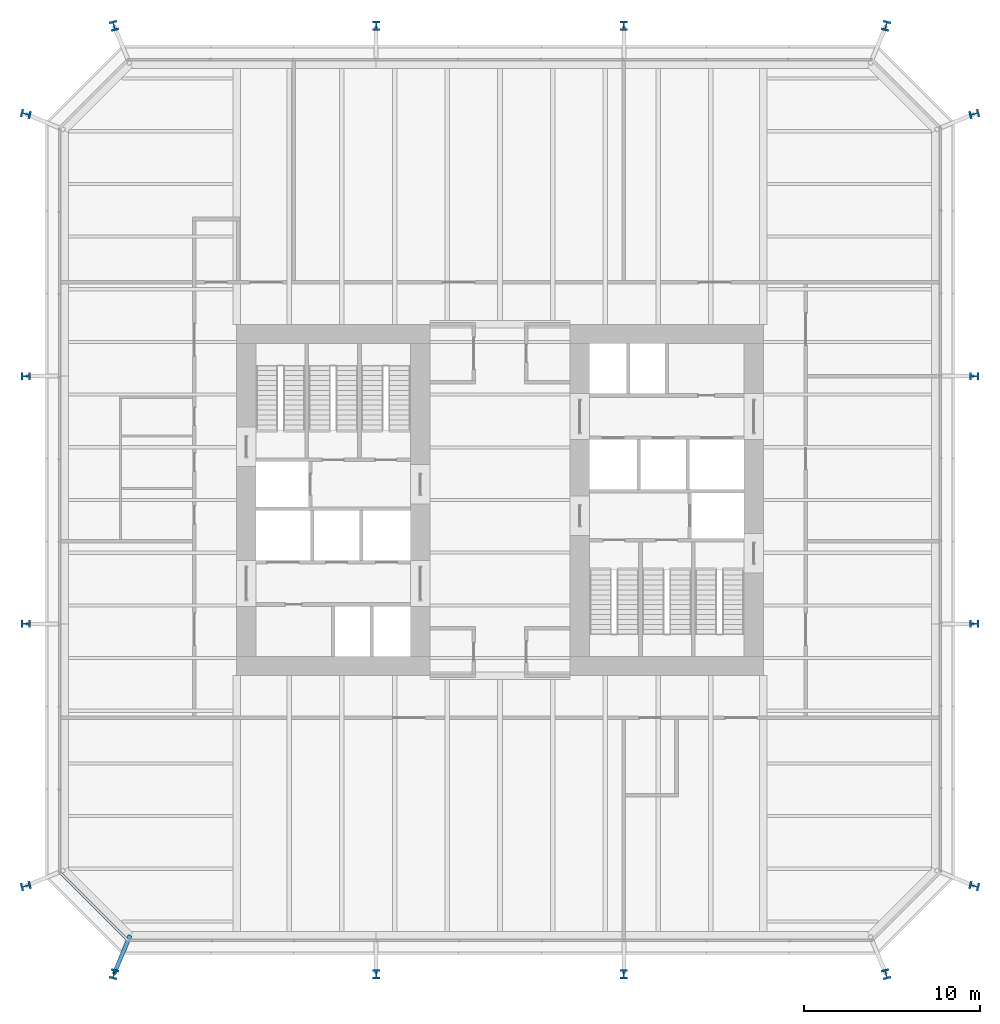
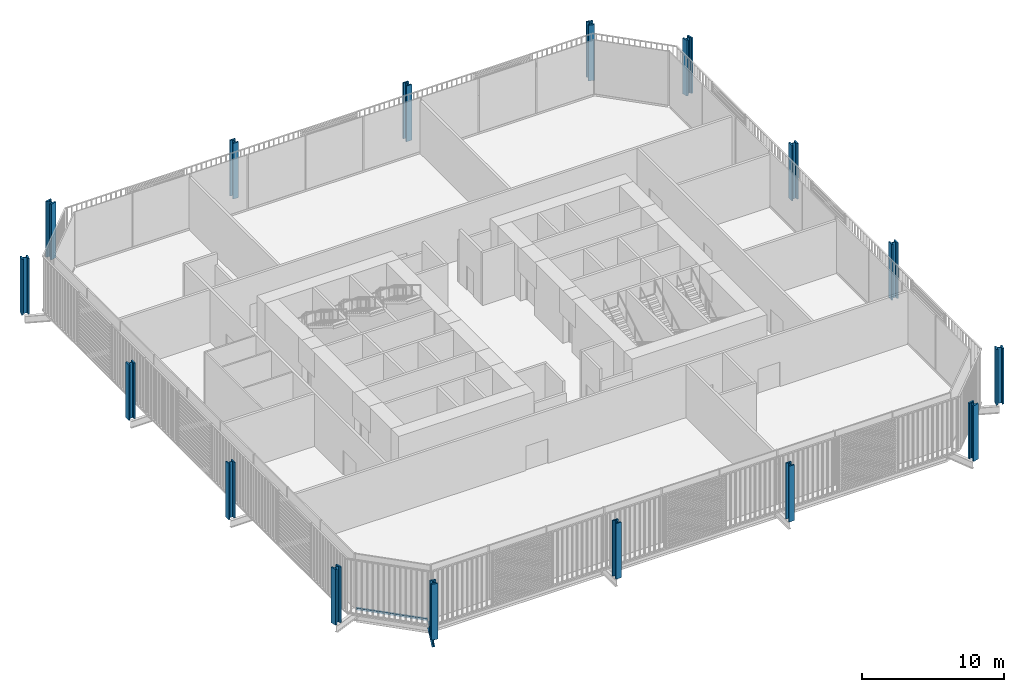
# One storey, part 1 of 22: 16 columns, 1 beam, 1 member, 1 element without a shape of its own.
"""IFC4 building model written with IfcOpenShell, lengths in metres."""

from ifc_helpers import new_model, si_unit, direction, frame, origin, origin_2d, place, context, subcontext, project, spatial, rectangle, i_section, extrude, material, layer, layer_set, material_profile, profile_set, type_object, element, aggregate, save


model = new_model("IFC4")

# Units and contexts
model_context = context("Model", 3, precision=1e-05, world=origin(), true_north=direction((0.0, 1.0)))
body_context = subcontext(model_context, "Body", "Model", "MODEL_VIEW")
ifc_project = project(units=[si_unit("LENGTHUNIT", "METRE"), si_unit("AREAUNIT", "SQUARE_METRE"), si_unit("VOLUMEUNIT", "CUBIC_METRE"), si_unit("PLANEANGLEUNIT", "RADIAN"), si_unit("MASSUNIT", "GRAM", prefix="KILO")], contexts=[model_context])

# Site, building, storey
site_placement = place(None, origin())
site = spatial("IfcSite", under=ifc_project, at=site_placement, CompositionType="ELEMENT")
building_placement = place(site_placement, origin())
building = spatial("IfcBuilding", under=site, at=building_placement, Name="Millrace Tower", CompositionType="ELEMENT")
storey_placement = place(building_placement, frame((0.0, 0.0, 59.300048828125)))
storey = spatial("IfcBuildingStorey", under=building, at=storey_placement, Name="L13", CompositionType="ELEMENT", Elevation=59.300048828125)

# Columns
ifc_material_1 = material(Name="Steel ASTM A913 Grade 65", Category="steel")
ifc_material_profile_1 = material_profile(ifc_material_1, i_section(OverallWidth=0.44189453125, OverallDepth=0.53076171875, WebThickness=0.06591796875, FlangeThickness=0.105712890625, FilletRadius=0.01513671875, at=origin_2d()))
ifc_profile_set_1 = profile_set([ifc_material_profile_1], Name="Steel ASTM A913 Grade 65")
column_type_1 = type_object("IfcColumnType", Name="Exoskeleton column W14x605", PredefinedType="COLUMN", material=ifc_profile_set_1)
for number, where, z_axis, x_axis, name in (
    (1, (-7.050048828125, -27.0, 0.0), (0.0, 0.0, 1.0), (1.0, 0.0, 0.0), "COL-A-L13-X03"),
    (2, (7.050048828125, -27.0, 0.0), (0.0, 0.0, 1.0), (1.0, 0.0, 0.0), "COL-A-L13-X04"),
    (3, (27.0, -7.050048828125, 0.0), (0.0, 0.0, 1.0), (0.0, 1.0, 0.0), "COL-A-L13-X07"),
    (4, (27.0, 7.050048828125, 0.0), (0.0, 0.0, 1.0), (0.0, 1.0, 0.0), "COL-A-L13-X08"),
    (5, (7.050048828125, 27.0, 0.0), (0.0, 0.0, 1.0), (-1.0, 0.0, 0.0), "COL-A-L13-X11"),
    (6, (-7.050048828125, 27.0, 0.0), (0.0, 0.0, 1.0), (-1.0, 0.0, 0.0), "COL-A-L13-X12"),
    (7, (-27.0, 7.050048828125, 0.0), (0.0, 0.0, 1.0), (0.0, -1.0, 0.0), "COL-A-L13-X15"),
    (8, (-27.0, -7.050048828125, 0.0), (0.0, 0.0, 1.0), (0.0, -1.0, 0.0), "COL-A-L13-X16"),
):
    element("IfcColumn", number, at=place(storey_placement, frame(where, z_axis=z_axis, x_axis=x_axis)), inside=storey, type_object=column_type_1, Name=name, PredefinedType="COLUMN", context=body_context, shape_type="SweptSolid", body=[
        extrude(i_section(OverallWidth=0.44189453125, OverallDepth=0.53076171875, WebThickness=0.06591796875, FlangeThickness=0.105712890625, FilletRadius=0.01513671875, at=origin_2d()), origin(), (0.0, 0.0, 1.0), 4.800048828125),
    ])
ifc_material_2 = material(Name="Steel ASTM A913 Grade 65", Category="steel")
ifc_material_profile_2 = material_profile(ifc_material_2, i_section(OverallWidth=0.45458984375, OverallDepth=0.56884765625, WebThickness=0.077880859375, FlangeThickness=0.124755859375, FilletRadius=0.01513671875, at=origin_2d()))
ifc_profile_set_2 = profile_set([ifc_material_profile_2], Name="Steel ASTM A913 Grade 65")
column_type_2 = type_object("IfcColumnType", Name="Exoskeleton column W14x730", PredefinedType="COLUMN", material=ifc_profile_set_2)
for number, where, z_axis, x_axis, name in (
    (9, (-27.0, -21.978515625, 0.0), (0.0, 0.0, 1.0), (0.244094142872, -0.969751540043, 0.0), "COL-A-L13-X01"),
    (10, (-21.978515625, -27.0, 0.0), (0.0, 0.0, 1.0), (0.969751540043, -0.244094142872, 0.0), "COL-A-L13-X02"),
    (11, (21.978515625, -27.0, 0.0), (0.0, 0.0, 1.0), (0.969751540043, 0.244094142872, 0.0), "COL-A-L13-X05"),
    (12, (27.0, -21.978515625, 0.0), (0.0, 0.0, 1.0), (0.244094142872, 0.969751540043, 0.0), "COL-A-L13-X06"),
    (13, (27.0, 21.978515625, 0.0), (0.0, 0.0, 1.0), (-0.244094142872, 0.969751540043, 0.0), "COL-A-L13-X09"),
    (14, (21.978515625, 27.0, 0.0), (0.0, 0.0, 1.0), (-0.969751540043, 0.244094142872, 0.0), "COL-A-L13-X10"),
    (15, (-21.978515625, 27.0, 0.0), (0.0, 0.0, 1.0), (-0.969751540043, -0.244094142872, 0.0), "COL-A-L13-X13"),
    (16, (-27.0, 21.978515625, 0.0), (0.0, 0.0, 1.0), (-0.244094142872, -0.969751540043, 0.0), "COL-A-L13-X14"),
):
    element("IfcColumn", number, at=place(storey_placement, frame(where, z_axis=z_axis, x_axis=x_axis)), inside=storey, type_object=column_type_2, Name=name, PredefinedType="COLUMN", context=body_context, shape_type="SweptSolid", body=[
        extrude(i_section(OverallWidth=0.45458984375, OverallDepth=0.56884765625, WebThickness=0.077880859375, FlangeThickness=0.124755859375, FilletRadius=0.01513671875, at=origin_2d()), origin(), (0.0, 0.0, 1.0), 4.800048828125),
    ])

# Curtain wall, member
ifc_material_3 = material(Name="Aluminium and glass", Category="aluminium")
ifc_layer = layer(ifc_material_3, 0.14990234375)
ifc_layer_set = layer_set([ifc_layer], Name="Aluminium and glass")
curtain_wall_type = type_object("IfcCurtainWallType", Name="CW-2 data hall insulated curtain wall", PredefinedType="NOTDEFINED", material=ifc_layer_set)
curtain_wall_placement = place(storey_placement, origin())
curtain_wall = element("IfcCurtainWall", 17, at=curtain_wall_placement, inside=storey, type_object=curtain_wall_type, Name="Curtain wall A-F01 L13", PredefinedType="NOTDEFINED")
ifc_material_4 = material(Name="Aluminium", Category="aluminium")
ifc_material_profile_3 = material_profile(ifc_material_4, rectangle(XDim=0.14990234375, YDim=0.159912109375, at=origin_2d()))
ifc_profile_set_3 = profile_set([ifc_material_profile_3], Name="Aluminium")
member_type = type_object("IfcMemberType", Name="CW-2 data hall insulated curtain wall transom", PredefinedType="USERDEFINED", material=ifc_profile_set_3)
member_placement = place(storey_placement, frame((-24.982421875, -21.273681640625, 0.079833984375), z_axis=(0.707106781187, -0.707106781187, 0.0), x_axis=(0.707106781187, 0.707106781187, 0.0)))
member = element("IfcMember", 18, at=member_placement, type_object=member_type, Name="CW2 transom A-F01.1", ObjectType="TRANSOM", PredefinedType="USERDEFINED", context=body_context, shape_type="SweptSolid", body=[
    extrude(rectangle(XDim=0.14990234375, YDim=0.159912109375, at=origin_2d()), origin(), (0.0, 0.0, 1.0), 5.244873046875),
])
aggregate(curtain_wall, [member])

# Beam
ifc_material_5 = material(Name="Steel ASTM A992 Grade 50", Category="steel")
ifc_material_profile_4 = material_profile(ifc_material_5, i_section(OverallWidth=0.23046875, OverallDepth=0.6171875, WebThickness=0.01318359375, FlangeThickness=0.022216796875, FilletRadius=0.012939453125, at=origin_2d()))
ifc_profile_set_4 = profile_set([ifc_material_profile_4], Name="Steel ASTM A992 Grade 50")
beam_type = type_object("IfcBeamType", Name="Link beam W24x94", PredefinedType="BEAM", material=ifc_profile_set_4)
beam_placement = place(storey_placement, frame((-21.062744140625, -24.7890625, -0.53369140625), z_axis=(-0.382673155247, -0.923883789366, 0.0), x_axis=(0.923883789366, -0.382673155247, 0.0)))
element("IfcBeam", 19, at=beam_placement, inside=storey, type_object=beam_type, Name="LNK-A-L13-S1-16", PredefinedType="BEAM", context=body_context, shape_type="SweptSolid", body=[
    extrude(i_section(OverallWidth=0.23046875, OverallDepth=0.6171875, WebThickness=0.01318359375, FlangeThickness=0.022216796875, FilletRadius=0.012939453125, at=origin_2d()), origin(), (0.0, 0.0, 1.0), 2.39306640625),
])

save(model, "model.ifc")
